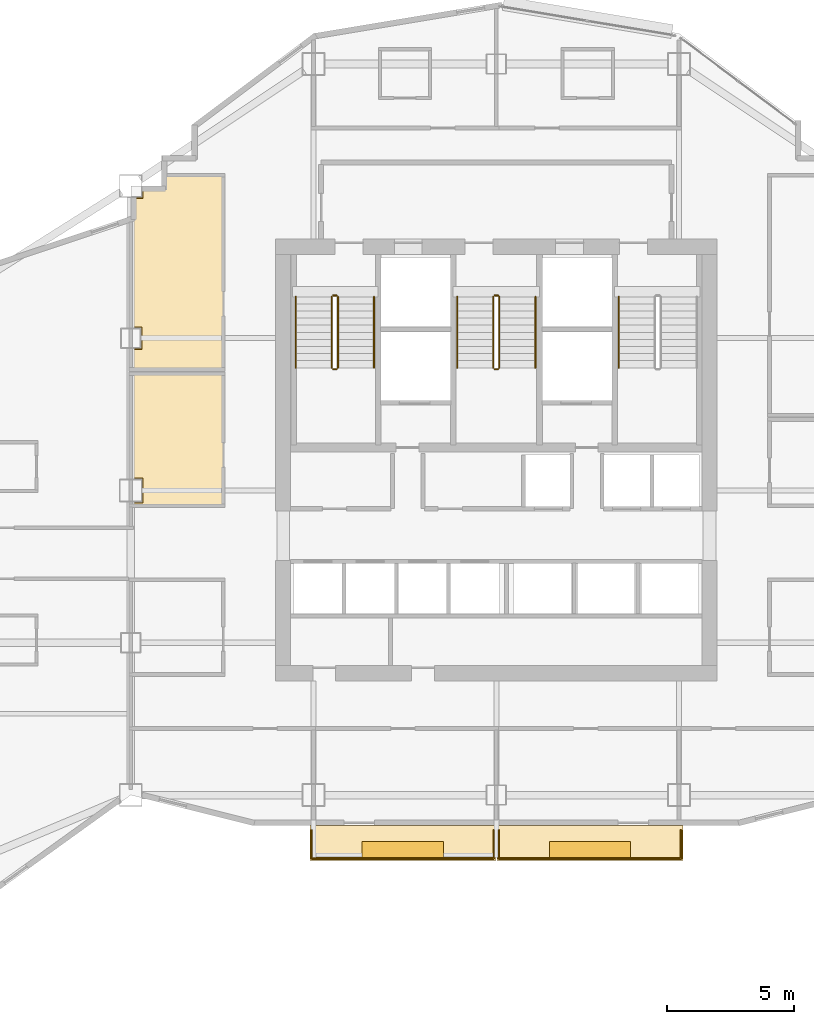
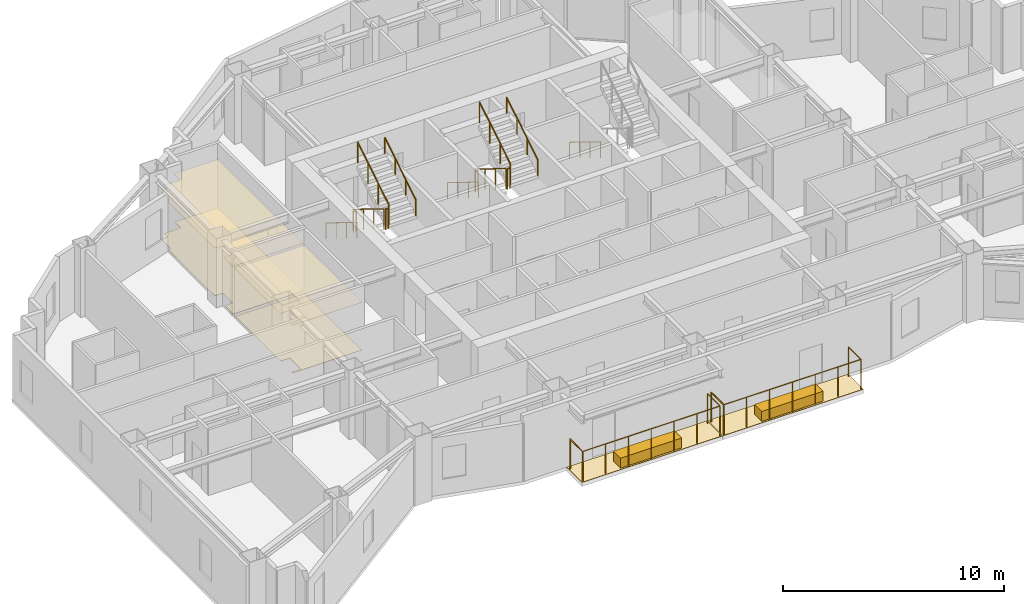
# One storey, part 10 of 12: 17 railings, 8 coverings.
"""IFC4 building model written with IfcOpenShell, lengths in metres."""

from ifc_helpers import new_model, si_unit, direction, frame, origin, origin_2d, place, context, subcontext, project, spatial, polyline, rectangle, circle, outline, extrude, material, layer, layer_set, type_object, element, save


model = new_model("IFC4")

# Units and contexts
model_context = context("Model", 3, precision=1e-05, world=origin(), true_north=direction((0.0, 1.0)))
body_context = subcontext(model_context, "Body", "Model", "MODEL_VIEW")
ifc_project = project(units=[si_unit("LENGTHUNIT", "METRE"), si_unit("AREAUNIT", "SQUARE_METRE"), si_unit("VOLUMEUNIT", "CUBIC_METRE"), si_unit("PLANEANGLEUNIT", "RADIAN"), si_unit("MASSUNIT", "GRAM", prefix="KILO")], contexts=[model_context])

# Site, building, storey
site_placement = place(None, origin())
site = spatial("IfcSite", under=ifc_project, at=site_placement, CompositionType="ELEMENT")
building_placement = place(site_placement, origin())
building = spatial("IfcBuilding", under=site, at=building_placement, Name="Haolan Belvedere Tower", CompositionType="ELEMENT")
storey_placement = place(building_placement, frame((0.0, 0.0, 169.0)))
storey = spatial("IfcBuildingStorey", under=building, at=storey_placement, Name="L42", CompositionType="ELEMENT", Elevation=169.0)

# Coverings
ifc_material_1 = material(Name="Acoustic mineral-fibre suspended ceiling system", Category="masonry")
ifc_layer_1 = layer(ifc_material_1, 0.02490234375, Name="Acoustic mineral-fibre suspended ceiling system")
ifc_layer_set_1 = layer_set([ifc_layer_1], Name="Acoustic mineral-fibre suspended ceiling system")
covering_type_1 = type_object("IfcCoveringType", Name="COV-CEIL-AC25", PredefinedType="CEILING", material=ifc_layer_set_1)
covering_1_placement = place(storey_placement, frame((0.0, 0.0, 2.64990234375)))
element("IfcCovering", 1, at=covering_1_placement, inside=storey, type_object=covering_type_1, Name="L42 suspended acoustic ceiling L42-HSK.1", PredefinedType="CEILING", context=body_context, shape_type="SweptSolid", body=[
    extrude(outline(polyline([(27.652099609375, 32.988037109375), (27.652099609375, 38.2119140625), (23.988037109375, 38.2119140625), (23.988037109375, 34.06494140625), (24.465087890625, 34.06494140625), (24.465087890625, 33.135009765625), (23.988037109375, 33.135009765625), (23.988037109375, 32.988037109375), (27.652099609375, 32.988037109375)])), origin(), (0.0, 0.0, 1.0), 0.025146484375),
])
covering_2_placement = place(storey_placement, frame((0.0, 0.0, 2.64990234375)))
element("IfcCovering", 2, at=covering_2_placement, inside=storey, type_object=covering_type_1, Name="L42 suspended acoustic ceiling L42-VLT.2", PredefinedType="CEILING", context=body_context, shape_type="SweptSolid", body=[
    extrude(outline(polyline([(23.988037109375, 40.014892578125), (24.4150390625, 40.014892578125), (24.4150390625, 39.18505859375), (23.988037109375, 39.18505859375), (23.988037109375, 38.347900390625), (27.652099609375, 38.347900390625), (27.652099609375, 46.031982421875), (25.318115234375, 46.031982421875), (25.318115234375, 45.48193359375), (24.465087890625, 45.48193359375), (24.465087890625, 45.135009765625), (24.117919921875, 45.135009765625), (24.117919921875, 44.31494140625), (23.988037109375, 44.271728515625), (23.988037109375, 40.014892578125)])), origin(), (0.0, 0.0, 1.0), 0.025146484375),
])
ifc_material_2 = material(Name="Honed terrazzo and natural granite stone flooring", Category="masonry")
ifc_layer_2 = layer(ifc_material_2, 0.014892578125, Name="Honed terrazzo and natural granite stone flooring")
ifc_layer_set_2 = layer_set([ifc_layer_2], Name="Honed terrazzo and natural granite stone flooring")
covering_type_2 = type_object("IfcCoveringType", Name="COV-FLR-STN30", PredefinedType="FLOORING", material=ifc_layer_set_2)
covering_3_placement = place(storey_placement, origin())
element("IfcCovering", 3, at=covering_3_placement, inside=storey, type_object=covering_type_2, Name="L42 polished stone floor finish L42-HSK.1", PredefinedType="FLOORING", context=body_context, shape_type="SweptSolid", body=[
    extrude(outline(polyline([(27.626953125, 38.18701171875), (24.012939453125, 38.18701171875), (24.012939453125, 34.090087890625), (24.489990234375, 34.090087890625), (24.489990234375, 33.110107421875), (24.012939453125, 33.110107421875), (24.012939453125, 33.012939453125), (27.626953125, 33.012939453125), (27.626953125, 38.18701171875)])), origin(), (0.0, 0.0, 1.0), 0.014892578125),
])
covering_4_placement = place(storey_placement, origin())
element("IfcCovering", 4, at=covering_4_placement, inside=storey, type_object=covering_type_2, Name="L42 polished stone floor finish L42-VLT.2", PredefinedType="FLOORING", context=body_context, shape_type="SweptSolid", body=[
    extrude(outline(polyline([(24.43994140625, 40.0400390625), (24.43994140625, 39.159912109375), (24.012939453125, 39.159912109375), (24.012939453125, 38.373046875), (27.626953125, 38.373046875), (27.626953125, 46.007080078125), (25.343017578125, 46.007080078125), (25.343017578125, 45.45703125), (24.489990234375, 45.45703125), (24.489990234375, 45.110107421875), (24.14306640625, 45.110107421875), (24.14306640625, 44.297119140625), (24.012939453125, 44.253662109375), (24.012939453125, 40.0400390625), (24.43994140625, 40.0400390625)])), origin(), (0.0, 0.0, 1.0), 0.014892578125),
])
ifc_material_3 = material(Name="Engineered lightweight planted garden soil substrate", Category="masonry")
ifc_layer_3 = layer(ifc_material_3, 0.550048828125, Name="Engineered lightweight planted garden soil substrate")
ifc_layer_set_3 = layer_set([ifc_layer_3], Name="Engineered lightweight planted garden soil substrate")
covering_type_3 = type_object("IfcCoveringType", Name="COV-PLANT-550", PredefinedType="MEMBRANE", material=ifc_layer_set_3)
for number, where, z_axis, x_axis, name in (
    (5, (34.715087890625, 19.43994140625, 0.0), (0.0, 0.0, 1.0), (1.0, 0.0, 0.0), "L42 structural tree balcony PLANTER box 1"),
    (6, (42.0849609375, 19.43994140625, 0.0), (0.0, 0.0, 1.0), (1.0, 0.0, 0.0), "L42 structural tree balcony PLANTER box 2"),
):
    element("IfcCovering", number, at=place(storey_placement, frame(where, z_axis=z_axis, x_axis=x_axis)), inside=storey, type_object=covering_type_3, Name=name, PredefinedType="MEMBRANE", context=body_context, shape_type="SweptSolid", body=[
        extrude(rectangle(XDim=3.199951171875, YDim=0.64990234375, at=origin_2d()), origin(), (0.0, 0.0, 1.0), 0.550048828125),
    ])
ifc_material_4 = material(Name="Elastomeric waterproof roofing membrane and stone pavers", Category="masonry")
ifc_layer_4 = layer(ifc_material_4, 0.02001953125, Name="Elastomeric waterproof roofing membrane and stone pavers")
ifc_layer_set_4 = layer_set([ifc_layer_4], Name="Elastomeric waterproof roofing membrane and stone pavers")
covering_type_4 = type_object("IfcCoveringType", Name="COV-ROOF-20", PredefinedType="ROOFING", material=ifc_layer_set_4)
covering_5_placement = place(storey_placement, frame((0.0, 0.0, -0.02001953125)))
element("IfcCovering", 7, at=covering_5_placement, inside=storey, type_object=covering_type_4, Name="L42 tree-balcony waterproof membrane 1", PredefinedType="ROOFING", context=body_context, shape_type="SweptSolid", body=[
    extrude(outline(polyline([(31.050048828125, 19.02001953125), (38.3798828125, 19.02001953125), (38.3798828125, 20.39990234375), (31.050048828125, 20.39990234375), (31.050048828125, 19.02001953125)])), origin(), (0.0, 0.0, 1.0), 0.02001953125),
])
covering_6_placement = place(storey_placement, frame((0.0, 0.0, -0.02001953125)))
element("IfcCovering", 8, at=covering_6_placement, inside=storey, type_object=covering_type_4, Name="L42 tree-balcony waterproof membrane 2", PredefinedType="ROOFING", context=body_context, shape_type="SweptSolid", body=[
    extrude(outline(polyline([(38.419921875, 19.02001953125), (45.75, 19.02001953125), (45.75, 20.39990234375), (38.419921875, 20.39990234375), (38.419921875, 19.02001953125)])), origin(), (0.0, 0.0, 1.0), 0.02001953125),
])

# Railings
ifc_material_5 = material(Name="Brushed stainless steel 304", Category="steel")
railing_type_1 = type_object("IfcRailingType", Name="RL-STAIR-GRD-1150", PredefinedType="GUARDRAIL", material=ifc_material_5)
railing_1_placement = place(storey_placement, frame((31.919921875, 41.22998046875, 0.172607421875)))
element("IfcRailing", 9, at=railing_1_placement, inside=storey, type_object=railing_type_1, Name="L42 ST1 stair guard 1", PredefinedType="GUARDRAIL", context=body_context, shape_type="SweptSolid", body=[
    extrude(circle(Radius=0.02392578125, at=origin_2d()), frame((0.0, 0.0, 1.1259765625), z_axis=(0.0, -0.851089632645, 0.525020415988), x_axis=(1.0, 0.0, 0.0)), (0.0, 0.0, 1.0), 3.2900390625),
    extrude(circle(Radius=0.02099609375, at=origin_2d()), origin(), (0.0, 0.0, 1.0), 1.101806640625),
    extrude(circle(Radius=0.02099609375, at=origin_2d()), frame((0.0, -0.933349609375, 0.57568359375)), (0.0, 0.0, 1.0), 1.101806640625),
    extrude(circle(Radius=0.02099609375, at=origin_2d()), frame((0.0, -1.86669921875, 1.151611328125)), (0.0, 0.0, 1.0), 1.101806640625),
    extrude(circle(Radius=0.02099609375, at=origin_2d()), frame((0.0, -2.800048828125, 1.727294921875)), (0.0, 0.0, 1.0), 1.101806640625),
])
railing_2_placement = place(storey_placement, frame((31.969970703125, 38.3798828125, 1.89990234375)))
element("IfcRailing", 10, at=railing_2_placement, inside=storey, type_object=railing_type_1, Name="L42 ST1 stair guard 2", PredefinedType="GUARDRAIL", context=body_context, shape_type="SweptSolid", body=[
    extrude(circle(Radius=0.02392578125, at=origin_2d()), frame((0.0, 0.0, 1.1259765625), z_axis=(1.0, 0.0, 0.0), x_axis=(0.0, 1.0, 0.0)), (0.0, 0.0, 1.0), 0.14013671875),
    extrude(circle(Radius=0.02099609375, at=origin_2d()), origin(), (0.0, 0.0, 1.0), 1.101806640625),
    extrude(circle(Radius=0.02099609375, at=origin_2d()), frame((0.14013671875, 0.0, 0.0)), (0.0, 0.0, 1.0), 1.101806640625),
])
railing_3_placement = place(storey_placement, frame((32.159912109375, 38.429931640625, 2.07275390625)))
element("IfcRailing", 11, at=railing_3_placement, inside=storey, type_object=railing_type_1, Name="L42 ST1 stair guard 3", PredefinedType="GUARDRAIL", context=body_context, shape_type="SweptSolid", body=[
    extrude(circle(Radius=0.02392578125, at=origin_2d()), frame((0.0, 0.0, 1.1259765625), z_axis=(0.0, 0.851089632645, 0.525020415988), x_axis=(-1.0, 0.0, 0.0)), (0.0, 0.0, 1.0), 3.2900390625),
    extrude(circle(Radius=0.02099609375, at=origin_2d()), origin(), (0.0, 0.0, 1.0), 1.101806640625),
    extrude(circle(Radius=0.02099609375, at=origin_2d()), frame((0.0, 0.933349609375, 0.57568359375)), (0.0, 0.0, 1.0), 1.101806640625),
    extrude(circle(Radius=0.02099609375, at=origin_2d()), frame((0.0, 1.86669921875, 1.151611328125)), (0.0, 0.0, 1.0), 1.101806640625),
    extrude(circle(Radius=0.02099609375, at=origin_2d()), frame((0.0, 2.800048828125, 1.727294921875)), (0.0, 0.0, 1.0), 1.101806640625),
])
railing_4_placement = place(storey_placement, frame((31.969970703125, 41.280029296875, 0.0)))
element("IfcRailing", 12, at=railing_4_placement, inside=storey, type_object=railing_type_1, Name="L42 ST1 stair guard 4", PredefinedType="GUARDRAIL", context=body_context, shape_type="SweptSolid", body=[
    extrude(circle(Radius=0.02392578125, at=origin_2d()), frame((0.0, 0.0, 1.1259765625), z_axis=(1.0, 0.0, 0.0), x_axis=(0.0, 1.0, 0.0)), (0.0, 0.0, 1.0), 0.14013671875),
    extrude(circle(Radius=0.02099609375, at=origin_2d()), origin(), (0.0, 0.0, 1.0), 1.101806640625),
    extrude(circle(Radius=0.02099609375, at=origin_2d()), frame((0.14013671875, 0.0, 0.0)), (0.0, 0.0, 1.0), 1.101806640625),
])
railing_5_placement = place(storey_placement, frame((38.280029296875, 41.22998046875, 0.172607421875)))
element("IfcRailing", 13, at=railing_5_placement, inside=storey, type_object=railing_type_1, Name="L42 ST3 stair guard 1", PredefinedType="GUARDRAIL", context=body_context, shape_type="SweptSolid", body=[
    extrude(circle(Radius=0.02392578125, at=origin_2d()), frame((0.0, 0.0, 1.1259765625), z_axis=(0.0, -0.851089632645, 0.525020415988), x_axis=(1.0, 0.0, 0.0)), (0.0, 0.0, 1.0), 3.2900390625),
    extrude(circle(Radius=0.02099609375, at=origin_2d()), origin(), (0.0, 0.0, 1.0), 1.101806640625),
    extrude(circle(Radius=0.02099609375, at=origin_2d()), frame((0.0, -0.933349609375, 0.57568359375)), (0.0, 0.0, 1.0), 1.101806640625),
    extrude(circle(Radius=0.02099609375, at=origin_2d()), frame((0.0, -1.86669921875, 1.151611328125)), (0.0, 0.0, 1.0), 1.101806640625),
    extrude(circle(Radius=0.02099609375, at=origin_2d()), frame((0.0, -2.800048828125, 1.727294921875)), (0.0, 0.0, 1.0), 1.101806640625),
])
railing_6_placement = place(storey_placement, frame((38.330078125, 38.3798828125, 1.89990234375)))
element("IfcRailing", 14, at=railing_6_placement, inside=storey, type_object=railing_type_1, Name="L42 ST3 stair guard 2", PredefinedType="GUARDRAIL", context=body_context, shape_type="SweptSolid", body=[
    extrude(circle(Radius=0.02392578125, at=origin_2d()), frame((0.0, 0.0, 1.1259765625), z_axis=(1.0, 0.0, 0.0), x_axis=(0.0, 1.0, 0.0)), (0.0, 0.0, 1.0), 0.139892578125),
    extrude(circle(Radius=0.02099609375, at=origin_2d()), origin(), (0.0, 0.0, 1.0), 1.101806640625),
    extrude(circle(Radius=0.02099609375, at=origin_2d()), frame((0.139892578125, 0.0, 0.0)), (0.0, 0.0, 1.0), 1.101806640625),
])
railing_7_placement = place(storey_placement, frame((38.52001953125, 38.429931640625, 2.07275390625)))
element("IfcRailing", 15, at=railing_7_placement, inside=storey, type_object=railing_type_1, Name="L42 ST3 stair guard 3", PredefinedType="GUARDRAIL", context=body_context, shape_type="SweptSolid", body=[
    extrude(circle(Radius=0.02392578125, at=origin_2d()), frame((0.0, 0.0, 1.1259765625), z_axis=(0.0, 0.851089632645, 0.525020415988), x_axis=(-1.0, 0.0, 0.0)), (0.0, 0.0, 1.0), 3.2900390625),
    extrude(circle(Radius=0.02099609375, at=origin_2d()), origin(), (0.0, 0.0, 1.0), 1.101806640625),
    extrude(circle(Radius=0.02099609375, at=origin_2d()), frame((0.0, 0.933349609375, 0.57568359375)), (0.0, 0.0, 1.0), 1.101806640625),
    extrude(circle(Radius=0.02099609375, at=origin_2d()), frame((0.0, 1.86669921875, 1.151611328125)), (0.0, 0.0, 1.0), 1.101806640625),
    extrude(circle(Radius=0.02099609375, at=origin_2d()), frame((0.0, 2.800048828125, 1.727294921875)), (0.0, 0.0, 1.0), 1.101806640625),
])
railing_8_placement = place(storey_placement, frame((38.330078125, 41.280029296875, 0.0)))
element("IfcRailing", 16, at=railing_8_placement, inside=storey, type_object=railing_type_1, Name="L42 ST3 stair guard 4", PredefinedType="GUARDRAIL", context=body_context, shape_type="SweptSolid", body=[
    extrude(circle(Radius=0.02392578125, at=origin_2d()), frame((0.0, 0.0, 1.1259765625), z_axis=(1.0, 0.0, 0.0), x_axis=(0.0, 1.0, 0.0)), (0.0, 0.0, 1.0), 0.139892578125),
    extrude(circle(Radius=0.02099609375, at=origin_2d()), origin(), (0.0, 0.0, 1.0), 1.101806640625),
    extrude(circle(Radius=0.02099609375, at=origin_2d()), frame((0.139892578125, 0.0, 0.0)), (0.0, 0.0, 1.0), 1.101806640625),
])
railing_type_2 = type_object("IfcRailingType", Name="RL-STAIR-HND-900", PredefinedType="HANDRAIL", material=ifc_material_5)
railing_9_placement = place(storey_placement, frame((30.5, 41.22998046875, 0.172607421875)))
element("IfcRailing", 17, at=railing_9_placement, inside=storey, type_object=railing_type_2, Name="L42 ST1 stair handrail 1", PredefinedType="HANDRAIL", context=body_context, shape_type="SweptSolid", body=[
    extrude(circle(Radius=0.02392578125, at=origin_2d()), frame((0.0, 0.0, 0.8759765625), z_axis=(0.0, -0.851089632645, 0.525020415988), x_axis=(1.0, 0.0, 0.0)), (0.0, 0.0, 1.0), 3.2900390625),
    extrude(circle(Radius=0.02099609375, at=origin_2d()), origin(), (0.0, 0.0, 1.0), 0.851806640625),
    extrude(circle(Radius=0.02099609375, at=origin_2d()), frame((0.0, -0.933349609375, 0.57568359375)), (0.0, 0.0, 1.0), 0.851806640625),
    extrude(circle(Radius=0.02099609375, at=origin_2d()), frame((0.0, -1.86669921875, 1.151611328125)), (0.0, 0.0, 1.0), 0.851806640625),
    extrude(circle(Radius=0.02099609375, at=origin_2d()), frame((0.0, -2.800048828125, 1.727294921875)), (0.0, 0.0, 1.0), 0.851806640625),
])
railing_10_placement = place(storey_placement, frame((33.580078125, 38.429931640625, 2.07275390625)))
element("IfcRailing", 18, at=railing_10_placement, inside=storey, type_object=railing_type_2, Name="L42 ST1 stair handrail 2", PredefinedType="HANDRAIL", context=body_context, shape_type="SweptSolid", body=[
    extrude(circle(Radius=0.02392578125, at=origin_2d()), frame((0.0, 0.0, 0.8759765625), z_axis=(0.0, 0.851089632645, 0.525020415988), x_axis=(-1.0, 0.0, 0.0)), (0.0, 0.0, 1.0), 3.2900390625),
    extrude(circle(Radius=0.02099609375, at=origin_2d()), origin(), (0.0, 0.0, 1.0), 0.851806640625),
    extrude(circle(Radius=0.02099609375, at=origin_2d()), frame((0.0, 0.933349609375, 0.57568359375)), (0.0, 0.0, 1.0), 0.851806640625),
    extrude(circle(Radius=0.02099609375, at=origin_2d()), frame((0.0, 1.86669921875, 1.151611328125)), (0.0, 0.0, 1.0), 0.851806640625),
    extrude(circle(Radius=0.02099609375, at=origin_2d()), frame((0.0, 2.800048828125, 1.727294921875)), (0.0, 0.0, 1.0), 0.851806640625),
])
railing_11_placement = place(storey_placement, frame((36.860107421875, 41.22998046875, 0.172607421875)))
element("IfcRailing", 19, at=railing_11_placement, inside=storey, type_object=railing_type_2, Name="L42 ST3 stair handrail 1", PredefinedType="HANDRAIL", context=body_context, shape_type="SweptSolid", body=[
    extrude(circle(Radius=0.02392578125, at=origin_2d()), frame((0.0, 0.0, 0.8759765625), z_axis=(0.0, -0.851089632645, 0.525020415988), x_axis=(1.0, 0.0, 0.0)), (0.0, 0.0, 1.0), 3.2900390625),
    extrude(circle(Radius=0.02099609375, at=origin_2d()), origin(), (0.0, 0.0, 1.0), 0.851806640625),
    extrude(circle(Radius=0.02099609375, at=origin_2d()), frame((0.0, -0.933349609375, 0.57568359375)), (0.0, 0.0, 1.0), 0.851806640625),
    extrude(circle(Radius=0.02099609375, at=origin_2d()), frame((0.0, -1.86669921875, 1.151611328125)), (0.0, 0.0, 1.0), 0.851806640625),
    extrude(circle(Radius=0.02099609375, at=origin_2d()), frame((0.0, -2.800048828125, 1.727294921875)), (0.0, 0.0, 1.0), 0.851806640625),
])
railing_12_placement = place(storey_placement, frame((39.93994140625, 38.429931640625, 2.07275390625)))
element("IfcRailing", 20, at=railing_12_placement, inside=storey, type_object=railing_type_2, Name="L42 ST3 stair handrail 2", PredefinedType="HANDRAIL", context=body_context, shape_type="SweptSolid", body=[
    extrude(circle(Radius=0.02392578125, at=origin_2d()), frame((0.0, 0.0, 0.8759765625), z_axis=(0.0, 0.851089632645, 0.525020415988), x_axis=(-1.0, 0.0, 0.0)), (0.0, 0.0, 1.0), 3.2900390625),
    extrude(circle(Radius=0.02099609375, at=origin_2d()), origin(), (0.0, 0.0, 1.0), 0.851806640625),
    extrude(circle(Radius=0.02099609375, at=origin_2d()), frame((0.0, 0.933349609375, 0.57568359375)), (0.0, 0.0, 1.0), 0.851806640625),
    extrude(circle(Radius=0.02099609375, at=origin_2d()), frame((0.0, 1.86669921875, 1.151611328125)), (0.0, 0.0, 1.0), 0.851806640625),
    extrude(circle(Radius=0.02099609375, at=origin_2d()), frame((0.0, 2.800048828125, 1.727294921875)), (0.0, 0.0, 1.0), 0.851806640625),
])
railing_13_placement = place(storey_placement, frame((43.219970703125, 41.22998046875, 0.172607421875)))
element("IfcRailing", 21, at=railing_13_placement, inside=storey, type_object=railing_type_2, Name="L42 ST2 stair handrail 1", PredefinedType="HANDRAIL", context=body_context, shape_type="SweptSolid", body=[
    extrude(circle(Radius=0.02392578125, at=origin_2d()), frame((0.0, 0.0, 0.8759765625), z_axis=(0.0, -0.851089632645, 0.525020415988), x_axis=(1.0, 0.0, 0.0)), (0.0, 0.0, 1.0), 3.2900390625),
    extrude(circle(Radius=0.02099609375, at=origin_2d()), origin(), (0.0, 0.0, 1.0), 0.851806640625),
    extrude(circle(Radius=0.02099609375, at=origin_2d()), frame((0.0, -0.933349609375, 0.57568359375)), (0.0, 0.0, 1.0), 0.851806640625),
    extrude(circle(Radius=0.02099609375, at=origin_2d()), frame((0.0, -1.86669921875, 1.151611328125)), (0.0, 0.0, 1.0), 0.851806640625),
    extrude(circle(Radius=0.02099609375, at=origin_2d()), frame((0.0, -2.800048828125, 1.727294921875)), (0.0, 0.0, 1.0), 0.851806640625),
])
ifc_material_6 = material(Name="Anodised aluminium and laminated glass balustrade", Category="aluminium")
railing_type_3 = type_object("IfcRailingType", Name="RL-TER-BAL-1150", PredefinedType="BALUSTRADE", material=ifc_material_6)
railing_14_placement = place(storey_placement, frame((31.1298828125, 19.10009765625, 0.0)))
element("IfcRailing", 22, at=railing_14_placement, inside=storey, type_object=railing_type_3, Name="L42 outdoor perimeter balustrade BAL-L42-1-1", PredefinedType="BALUSTRADE", context=body_context, shape_type="SweptSolid", body=[
    extrude(circle(Radius=0.02392578125, at=origin_2d()), frame((0.0, 0.0, 1.6259765625), z_axis=(0.0, 1.0, 0.0), x_axis=(-1.0, 0.0, 0.0)), (0.0, 0.0, 1.0), 1.119873046875),
    extrude(circle(Radius=0.02099609375, at=origin_2d()), origin(), (0.0, 0.0, 1.0), 1.601806640625),
    extrude(circle(Radius=0.02099609375, at=origin_2d()), frame((0.0, 1.119873046875, 0.0)), (0.0, 0.0, 1.0), 1.601806640625),
])
railing_15_placement = place(storey_placement, frame((38.300048828125, 20.219970703125, 0.0)))
element("IfcRailing", 23, at=railing_15_placement, inside=storey, type_object=railing_type_3, Name="L42 outdoor perimeter balustrade BAL-L42-1-2", PredefinedType="BALUSTRADE", context=body_context, shape_type="SweptSolid", body=[
    extrude(circle(Radius=0.02392578125, at=origin_2d()), frame((0.0, 0.0, 1.6259765625), z_axis=(0.0, -1.0, 0.0), x_axis=(1.0, 0.0, 0.0)), (0.0, 0.0, 1.0), 1.119873046875),
    extrude(circle(Radius=0.02392578125, at=origin_2d()), frame((0.0, -1.119873046875, 1.6259765625), z_axis=(-1.0, 0.0, 0.0), x_axis=(0.0, -1.0, 0.0)), (0.0, 0.0, 1.0), 7.170166015625),
    extrude(circle(Radius=0.02099609375, at=origin_2d()), origin(), (0.0, 0.0, 1.0), 1.601806640625),
    extrude(circle(Radius=0.02099609375, at=origin_2d()), frame((0.0, -1.119873046875, 0.0)), (0.0, 0.0, 1.0), 1.601806640625),
    extrude(circle(Radius=0.02099609375, at=origin_2d()), frame((-1.195068359375, -1.119873046875, 0.0)), (0.0, 0.0, 1.0), 1.601806640625),
    extrude(circle(Radius=0.02099609375, at=origin_2d()), frame((-2.39013671875, -1.119873046875, 0.0)), (0.0, 0.0, 1.0), 1.601806640625),
    extrude(circle(Radius=0.02099609375, at=origin_2d()), frame((-3.5849609375, -1.119873046875, 0.0)), (0.0, 0.0, 1.0), 1.601806640625),
    extrude(circle(Radius=0.02099609375, at=origin_2d()), frame((-4.780029296875, -1.119873046875, 0.0)), (0.0, 0.0, 1.0), 1.601806640625),
    extrude(circle(Radius=0.02099609375, at=origin_2d()), frame((-5.97509765625, -1.119873046875, 0.0)), (0.0, 0.0, 1.0), 1.601806640625),
    extrude(circle(Radius=0.02099609375, at=origin_2d()), frame((-7.170166015625, -1.119873046875, 0.0)), (0.0, 0.0, 1.0), 1.601806640625),
])
railing_16_placement = place(storey_placement, frame((38.5, 19.10009765625, 0.0)))
element("IfcRailing", 24, at=railing_16_placement, inside=storey, type_object=railing_type_3, Name="L42 outdoor perimeter balustrade BAL-L42-2-1", PredefinedType="BALUSTRADE", context=body_context, shape_type="SweptSolid", body=[
    extrude(circle(Radius=0.02392578125, at=origin_2d()), frame((0.0, 0.0, 1.6259765625), z_axis=(0.0, 1.0, 0.0), x_axis=(-1.0, 0.0, 0.0)), (0.0, 0.0, 1.0), 1.119873046875),
    extrude(circle(Radius=0.02099609375, at=origin_2d()), origin(), (0.0, 0.0, 1.0), 1.601806640625),
    extrude(circle(Radius=0.02099609375, at=origin_2d()), frame((0.0, 1.119873046875, 0.0)), (0.0, 0.0, 1.0), 1.601806640625),
])
railing_17_placement = place(storey_placement, frame((45.669921875, 20.219970703125, 0.0)))
element("IfcRailing", 25, at=railing_17_placement, inside=storey, type_object=railing_type_3, Name="L42 outdoor perimeter balustrade BAL-L42-2-2", PredefinedType="BALUSTRADE", context=body_context, shape_type="SweptSolid", body=[
    extrude(circle(Radius=0.02392578125, at=origin_2d()), frame((0.0, 0.0, 1.6259765625), z_axis=(0.0, -1.0, 0.0), x_axis=(1.0, 0.0, 0.0)), (0.0, 0.0, 1.0), 1.119873046875),
    extrude(circle(Radius=0.02392578125, at=origin_2d()), frame((0.0, -1.119873046875, 1.6259765625), z_axis=(-1.0, 0.0, 0.0), x_axis=(0.0, -1.0, 0.0)), (0.0, 0.0, 1.0), 7.169921875),
    extrude(circle(Radius=0.02099609375, at=origin_2d()), origin(), (0.0, 0.0, 1.0), 1.601806640625),
    extrude(circle(Radius=0.02099609375, at=origin_2d()), frame((0.0, -1.119873046875, 0.0)), (0.0, 0.0, 1.0), 1.601806640625),
    extrude(circle(Radius=0.02099609375, at=origin_2d()), frame((-1.195068359375, -1.119873046875, 0.0)), (0.0, 0.0, 1.0), 1.601806640625),
    extrude(circle(Radius=0.02099609375, at=origin_2d()), frame((-2.389892578125, -1.119873046875, 0.0)), (0.0, 0.0, 1.0), 1.601806640625),
    extrude(circle(Radius=0.02099609375, at=origin_2d()), frame((-3.5849609375, -1.119873046875, 0.0)), (0.0, 0.0, 1.0), 1.601806640625),
    extrude(circle(Radius=0.02099609375, at=origin_2d()), frame((-4.780029296875, -1.119873046875, 0.0)), (0.0, 0.0, 1.0), 1.601806640625),
    extrude(circle(Radius=0.02099609375, at=origin_2d()), frame((-5.974853515625, -1.119873046875, 0.0)), (0.0, 0.0, 1.0), 1.601806640625),
    extrude(circle(Radius=0.02099609375, at=origin_2d()), frame((-7.169921875, -1.119873046875, 0.0)), (0.0, 0.0, 1.0), 1.601806640625),
])

save(model, "model.ifc")
